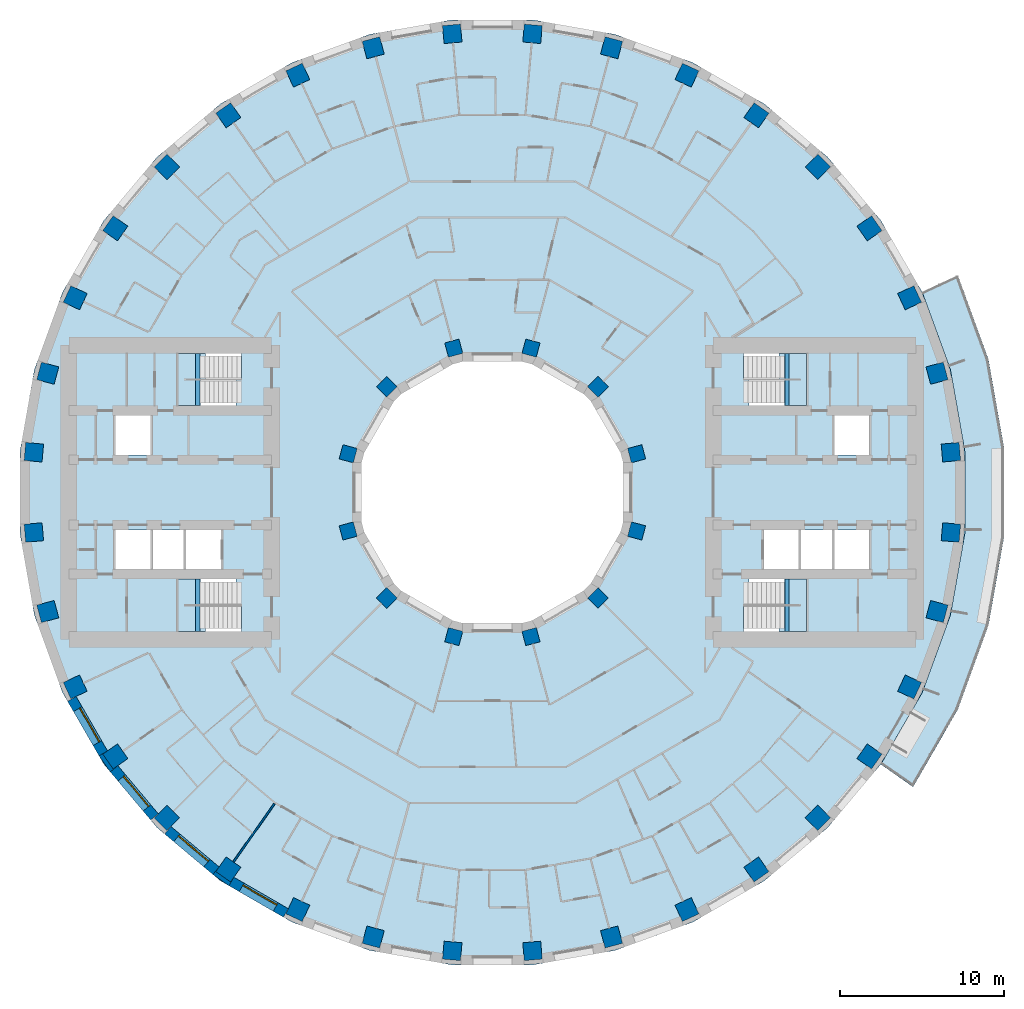
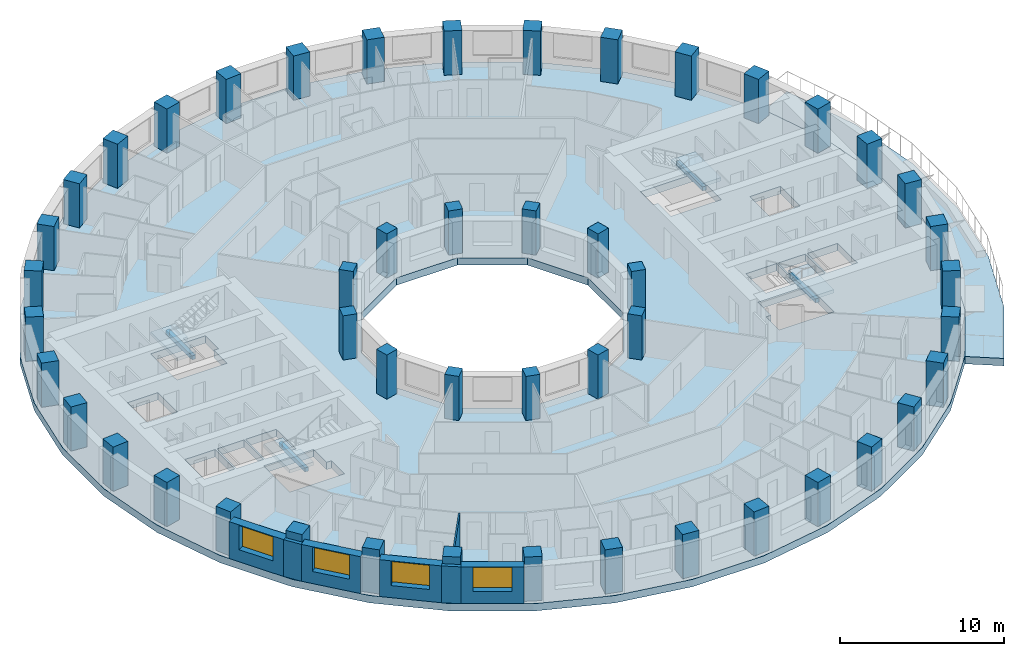
# One storey, part 1 of 14: 48 columns, 7 walls, 6 slabs, 4 beams, 4 windows, 4 openings, 4 elements without a shape of their own.
"""IFC4 building model written with IfcOpenShell, lengths in metres."""

from ifc_helpers import new_model, si_unit, direction, frame, frame_2d, origin, origin_2d, place, context, subcontext, project, spatial, polyline, rectangle, outline, extrude, material, layer, layer_set, material_profile, profile_set, type_object, element, fill, aggregate, save


model = new_model("IFC4")

# Units and contexts
model_context = context("Model", 3, precision=1e-05, world=origin(), true_north=direction((0.0, 1.0)))
body_context = subcontext(model_context, "Body", "Model", "MODEL_VIEW")
ifc_project = project(units=[si_unit("LENGTHUNIT", "METRE"), si_unit("AREAUNIT", "SQUARE_METRE"), si_unit("VOLUMEUNIT", "CUBIC_METRE"), si_unit("PLANEANGLEUNIT", "RADIAN"), si_unit("MASSUNIT", "GRAM", prefix="KILO")], contexts=[model_context])

# Site, building, storey
site_placement = place(None, origin())
site = spatial("IfcSite", under=ifc_project, at=site_placement, CompositionType="ELEMENT")
building_placement = place(site_placement, origin())
building = spatial("IfcBuilding", under=site, at=building_placement, Name="Saqina Gate Tower", CompositionType="ELEMENT")
storey_placement = place(building_placement, frame((0.0, 0.0, 49.39990234375)))
storey = spatial("IfcBuildingStorey", under=building, at=storey_placement, Name="L13", CompositionType="ELEMENT", Elevation=49.39990234375)

# Columns
ifc_material_1 = material(Name="Concrete C70/85", Category="concrete")
ifc_material_profile_1 = material_profile(ifc_material_1, rectangle(XDim=0.89990234375, YDim=0.89990234375, at=origin_2d()), Name="RC 900x900")
ifc_profile_set_1 = profile_set([ifc_material_profile_1], Name="Concrete C70/85")
column_type_1 = type_object("IfcColumnType", Name="STR-COL-IN-A", PredefinedType="COLUMN", material=ifc_profile_set_1)
for number, where, z_axis, x_axis, name in (
    (1, (8.821044921875, 2.363525390625, 0.0), (0.0, 0.0, 1.0), (0.965925826289, 0.258819045103, 0.0), "L13-ICL01"),
    (2, (6.45751953125, 6.45751953125, 0.0), (0.0, 0.0, 1.0), (0.707106781187, 0.707106781187, 0.0), "L13-ICL02"),
    (3, (2.363525390625, 8.821044921875, 0.0), (0.0, 0.0, 1.0), (0.258819045103, 0.965925826289, 0.0), "L13-ICL03"),
    (4, (-2.363525390625, 8.821044921875, 0.0), (0.0, 0.0, 1.0), (-0.258819045103, 0.965925826289, 0.0), "L13-ICL04"),
    (5, (-6.45751953125, 6.45751953125, 0.0), (0.0, 0.0, 1.0), (-0.707106781187, 0.707106781187, 0.0), "L13-ICL05"),
    (6, (-8.821044921875, 2.363525390625, 0.0), (0.0, 0.0, 1.0), (-0.965925826289, 0.258819045103, 0.0), "L13-ICL06"),
    (7, (-8.821044921875, -2.363525390625, 0.0), (0.0, 0.0, 1.0), (-0.965925826289, -0.258819045103, 0.0), "L13-ICL07"),
    (8, (-6.45751953125, -6.45751953125, 0.0), (0.0, 0.0, 1.0), (-0.707106781187, -0.707106781187, 0.0), "L13-ICL08"),
    (9, (-2.363525390625, -8.821044921875, 0.0), (0.0, 0.0, 1.0), (-0.258819045103, -0.965925826289, 0.0), "L13-ICL09"),
    (10, (2.363525390625, -8.821044921875, 0.0), (0.0, 0.0, 1.0), (0.258819045103, -0.965925826289, 0.0), "L13-ICL10"),
    (11, (6.45751953125, -6.45751953125, 0.0), (0.0, 0.0, 1.0), (0.707106781187, -0.707106781187, 0.0), "L13-ICL11"),
    (12, (8.821044921875, -2.363525390625, 0.0), (0.0, 0.0, 1.0), (0.965925826289, -0.258819045103, 0.0), "L13-ICL12"),
):
    element("IfcColumn", number, at=place(storey_placement, frame(where, z_axis=z_axis, x_axis=x_axis)), inside=storey, type_object=column_type_1, Name=name, PredefinedType="COLUMN", context=body_context, shape_type="SweptSolid", body=[
        extrude(rectangle(XDim=0.89990234375, YDim=0.89990234375, at=origin_2d()), origin(), (0.0, 0.0, 1.0), 3.300048828125),
    ])
ifc_material_2 = material(Name="Concrete C70/85", Category="concrete")
ifc_material_profile_2 = material_profile(ifc_material_2, rectangle(XDim=1.10009765625, YDim=1.10009765625, at=origin_2d()), Name="RC 1100x1100")
ifc_profile_set_2 = profile_set([ifc_material_profile_2], Name="Concrete C70/85")
column_type_2 = type_object("IfcColumnType", Name="STR-COL-OUT-A", PredefinedType="COLUMN", material=ifc_profile_set_2)
for number, where, z_axis, x_axis, name in (
    (13, (28.04296875, 2.453369140625, 0.0), (0.0, 0.0, 1.0), (0.996194698092, 0.087155742748, 0.0), "L13-COL01"),
    (14, (27.19091796875, 7.28564453125, 0.0), (0.0, 0.0, 1.0), (0.965925826289, 0.258819045103, 0.0), "L13-COL02"),
    (15, (25.512451171875, 11.896728515625, 0.0), (0.0, 0.0, 1.0), (0.906307787037, 0.422618261741, 0.0), "L13-COL03"),
    (16, (23.05908203125, 16.146240234375, 0.0), (0.0, 0.0, 1.0), (0.819152044289, 0.573576436351, 0.0), "L13-COL04"),
    (17, (19.905029296875, 19.905029296875, 0.0), (0.0, 0.0, 1.0), (0.707106781187, 0.707106781187, 0.0), "L13-COL05"),
    (18, (16.146240234375, 23.05908203125, 0.0), (0.0, 0.0, 1.0), (0.573576436351, 0.819152044289, 0.0), "L13-COL06"),
    (19, (11.896728515625, 25.512451171875, 0.0), (0.0, 0.0, 1.0), (0.422618261741, 0.906307787037, 0.0), "L13-COL07"),
    (20, (7.28564453125, 27.19091796875, 0.0), (0.0, 0.0, 1.0), (0.258819045103, 0.965925826289, 0.0), "L13-COL08"),
    (21, (2.453369140625, 28.04296875, 0.0), (0.0, 0.0, 1.0), (0.087155742748, 0.996194698092, 0.0), "L13-COL09"),
    (22, (-2.453369140625, 28.04296875, 0.0), (0.0, 0.0, 1.0), (-0.087155742748, 0.996194698092, 0.0), "L13-COL10"),
    (23, (-7.28564453125, 27.19091796875, 0.0), (0.0, 0.0, 1.0), (-0.258819045103, 0.965925826289, 0.0), "L13-COL11"),
    (24, (-11.896728515625, 25.512451171875, 0.0), (0.0, 0.0, 1.0), (-0.422618261741, 0.906307787037, 0.0), "L13-COL12"),
    (25, (-16.146240234375, 23.05908203125, 0.0), (0.0, 0.0, 1.0), (-0.573576436351, 0.819152044289, 0.0), "L13-COL13"),
    (26, (-19.905029296875, 19.905029296875, 0.0), (0.0, 0.0, 1.0), (-0.707106781187, 0.707106781187, 0.0), "L13-COL14"),
    (27, (-23.05908203125, 16.146240234375, 0.0), (0.0, 0.0, 1.0), (-0.819152044289, 0.573576436351, 0.0), "L13-COL15"),
    (28, (-25.512451171875, 11.896728515625, 0.0), (0.0, 0.0, 1.0), (-0.906307787037, 0.422618261741, 0.0), "L13-COL16"),
    (29, (-27.19091796875, 7.28564453125, 0.0), (0.0, 0.0, 1.0), (-0.965925826289, 0.258819045103, 0.0), "L13-COL17"),
    (30, (-28.04296875, 2.453369140625, 0.0), (0.0, 0.0, 1.0), (-0.996194698092, 0.087155742748, 0.0), "L13-COL18"),
    (31, (-28.04296875, -2.453369140625, 0.0), (0.0, 0.0, 1.0), (-0.996194698092, -0.087155742748, 0.0), "L13-COL19"),
    (32, (-27.19091796875, -7.28564453125, 0.0), (0.0, 0.0, 1.0), (-0.965925826289, -0.258819045103, 0.0), "L13-COL20"),
    (33, (-25.512451171875, -11.896728515625, 0.0), (0.0, 0.0, 1.0), (-0.906307787037, -0.422618261741, 0.0), "L13-COL21"),
    (34, (-23.05908203125, -16.146240234375, 0.0), (0.0, 0.0, 1.0), (-0.819152044289, -0.573576436351, 0.0), "L13-COL22"),
    (35, (-19.905029296875, -19.905029296875, 0.0), (0.0, 0.0, 1.0), (-0.707106781187, -0.707106781187, 0.0), "L13-COL23"),
    (36, (-16.146240234375, -23.05908203125, 0.0), (0.0, 0.0, 1.0), (-0.573576436351, -0.819152044289, 0.0), "L13-COL24"),
    (37, (-11.896728515625, -25.512451171875, 0.0), (0.0, 0.0, 1.0), (-0.422618261741, -0.906307787037, 0.0), "L13-COL25"),
    (38, (-7.28564453125, -27.19091796875, 0.0), (0.0, 0.0, 1.0), (-0.258819045103, -0.965925826289, 0.0), "L13-COL26"),
    (39, (-2.453369140625, -28.04296875, 0.0), (0.0, 0.0, 1.0), (-0.087155742748, -0.996194698092, 0.0), "L13-COL27"),
    (40, (2.453369140625, -28.04296875, 0.0), (0.0, 0.0, 1.0), (0.087155742748, -0.996194698092, 0.0), "L13-COL28"),
    (41, (7.28564453125, -27.19091796875, 0.0), (0.0, 0.0, 1.0), (0.258819045103, -0.965925826289, 0.0), "L13-COL29"),
    (42, (11.896728515625, -25.512451171875, 0.0), (0.0, 0.0, 1.0), (0.422618261741, -0.906307787037, 0.0), "L13-COL30"),
    (43, (16.146240234375, -23.05908203125, 0.0), (0.0, 0.0, 1.0), (0.573576436351, -0.819152044289, 0.0), "L13-COL31"),
    (44, (19.905029296875, -19.905029296875, 0.0), (0.0, 0.0, 1.0), (0.707106781187, -0.707106781187, 0.0), "L13-COL32"),
    (45, (23.05908203125, -16.146240234375, 0.0), (0.0, 0.0, 1.0), (0.819152044289, -0.573576436351, 0.0), "L13-COL33"),
    (46, (25.512451171875, -11.896728515625, 0.0), (0.0, 0.0, 1.0), (0.906307787037, -0.422618261741, 0.0), "L13-COL34"),
    (47, (27.19091796875, -7.28564453125, 0.0), (0.0, 0.0, 1.0), (0.965925826289, -0.258819045103, 0.0), "L13-COL35"),
    (48, (28.04296875, -2.453369140625, 0.0), (0.0, 0.0, 1.0), (0.996194698092, -0.087155742748, 0.0), "L13-COL36"),
):
    element("IfcColumn", number, at=place(storey_placement, frame(where, z_axis=z_axis, x_axis=x_axis)), inside=storey, type_object=column_type_2, Name=name, PredefinedType="COLUMN", context=body_context, shape_type="SweptSolid", body=[
        extrude(rectangle(XDim=1.10009765625, YDim=1.10009765625, at=origin_2d()), origin(), (0.0, 0.0, 1.0), 3.300048828125),
    ])

# Beams
ifc_material_3 = material(Name="Concrete C40/50", Category="concrete")
ifc_material_profile_3 = material_profile(ifc_material_3, rectangle(XDim=0.25, YDim=0.300048828125, at=origin_2d()), Name="STAIR LANDING BEAM")
ifc_profile_set_3 = profile_set([ifc_material_profile_3], Name="Concrete C40/50")
beam_type = type_object("IfcBeamType", Name="STAIR LANDING BEAM", PredefinedType="BEAM", material=ifc_profile_set_3)
for number, where, z_axis, x_axis, name in (
    (49, (18.02001953125, 5.300048828125, 1.25), (0.0, 1.0, 0.0), (-1.0, 0.0, 0.0), "EXIT STAIR 1 LANDING BEAM"),
    (50, (18.02001953125, -8.5, 1.25), (0.0, 1.0, 0.0), (-1.0, 0.0, 0.0), "EXIT STAIR 2 LANDING BEAM"),
    (51, (-18.02001953125, 5.300048828125, 1.25), (0.0, 1.0, 0.0), (-1.0, 0.0, 0.0), "EXIT STAIR 3 LANDING BEAM"),
    (52, (-18.02001953125, -8.5, 1.25), (0.0, 1.0, 0.0), (-1.0, 0.0, 0.0), "EXIT STAIR 4 LANDING BEAM"),
):
    element("IfcBeam", number, at=place(storey_placement, frame(where, z_axis=z_axis, x_axis=x_axis)), inside=storey, type_object=beam_type, Name=name, PredefinedType="BEAM", context=body_context, shape_type="SweptSolid", body=[
        extrude(rectangle(XDim=0.25, YDim=0.300048828125, at=origin_2d()), origin(), (0.0, 0.0, 1.0), 3.199951171875),
    ])

# Stair, slab
ifc_material_4 = material(Name="Concrete C40/50", Category="concrete")
stair_type = type_object("IfcStairType", Name="EXIT STAIR", PredefinedType="HALF_TURN_STAIR", material=ifc_material_4)
stair_1_placement = place(storey_placement, origin())
stair_1 = element("IfcStair", 53, at=stair_1_placement, inside=storey, type_object=stair_type, Name="EXIT STAIR 1", PredefinedType="HALF_TURN_STAIR")
ifc_material_5 = material(Name="Concrete C40/50", Category="concrete")
ifc_layer_1 = layer(ifc_material_5, 0.25)
ifc_layer_set_1 = layer_set([ifc_layer_1], Name="Concrete C40/50")
slab_type_1 = type_object("IfcSlabType", Name="EXIT STAIR LANDING", PredefinedType="LANDING", material=ifc_layer_set_1)
slab_1_placement = place(storey_placement, frame((0.0, 0.0, 1.400146484375)))
slab_1 = element("IfcSlab", 54, at=slab_1_placement, type_object=slab_type_1, Name="EXIT STAIR 1 LANDING 1", PredefinedType="LANDING", context=body_context, shape_type="SweptSolid", body=[
    extrude(outline(polyline([(19.219970703125, 8.5), (19.219970703125, 5.300048828125), (17.864990234375, 5.300048828125), (17.864990234375, 6.89990234375), (17.534423828125, 6.89990234375), (17.534423828125, 8.5), (17.864990234375, 8.5), (17.8701171875, 8.5), (19.219970703125, 8.5)])), origin(), (0.0, 0.0, 1.0), 0.25),
])
aggregate(stair_1, [slab_1])

stair_2_placement = place(storey_placement, origin())
stair_2 = element("IfcStair", 55, at=stair_2_placement, inside=storey, type_object=stair_type, Name="EXIT STAIR 2", PredefinedType="HALF_TURN_STAIR")
slab_2_placement = place(storey_placement, frame((0.0, 0.0, 1.400146484375)))
slab_2 = element("IfcSlab", 56, at=slab_2_placement, type_object=slab_type_1, Name="EXIT STAIR 2 LANDING 1", PredefinedType="LANDING", context=body_context, shape_type="SweptSolid", body=[
    extrude(outline(polyline([(17.534423828125, -8.5), (17.534423828125, -6.89990234375), (17.864990234375, -6.89990234375), (17.864990234375, -5.300048828125), (19.219970703125, -5.300048828125), (19.219970703125, -8.5), (17.8701171875, -8.5), (17.864990234375, -8.5), (17.534423828125, -8.5)])), origin(), (0.0, 0.0, 1.0), 0.25),
])
aggregate(stair_2, [slab_2])

stair_3_placement = place(storey_placement, origin())
stair_3 = element("IfcStair", 57, at=stair_3_placement, inside=storey, type_object=stair_type, Name="EXIT STAIR 3", PredefinedType="HALF_TURN_STAIR")
slab_3_placement = place(storey_placement, frame((0.0, 0.0, 1.400146484375)))
slab_3 = element("IfcSlab", 58, at=slab_3_placement, type_object=slab_type_1, Name="EXIT STAIR 3 LANDING 1", PredefinedType="LANDING", context=body_context, shape_type="SweptSolid", body=[
    extrude(outline(polyline([(-17.864990234375, 5.300048828125), (-19.219970703125, 5.300048828125), (-19.219970703125, 8.5), (-17.8701171875, 8.5), (-17.864990234375, 8.5), (-17.534423828125, 8.5), (-17.534423828125, 6.89990234375), (-17.864990234375, 6.89990234375), (-17.864990234375, 5.300048828125)])), origin(), (0.0, 0.0, 1.0), 0.25),
])
aggregate(stair_3, [slab_3])

stair_4_placement = place(storey_placement, origin())
stair_4 = element("IfcStair", 59, at=stair_4_placement, inside=storey, type_object=stair_type, Name="EXIT STAIR 4", PredefinedType="HALF_TURN_STAIR")
slab_4_placement = place(storey_placement, frame((0.0, 0.0, 1.400146484375)))
slab_4 = element("IfcSlab", 60, at=slab_4_placement, type_object=slab_type_1, Name="EXIT STAIR 4 LANDING 1", PredefinedType="LANDING", context=body_context, shape_type="SweptSolid", body=[
    extrude(outline(polyline([(-17.534423828125, -6.89990234375), (-17.534423828125, -8.5), (-17.864990234375, -8.5), (-17.8701171875, -8.5), (-19.219970703125, -8.5), (-19.219970703125, -5.300048828125), (-17.864990234375, -5.300048828125), (-17.864990234375, -6.89990234375), (-17.534423828125, -6.89990234375)])), origin(), (0.0, 0.0, 1.0), 0.25),
])
aggregate(stair_4, [slab_4])

# Slabs
ifc_material_6 = material(Name="Concrete C40/50", Category="concrete")
ifc_layer_2 = layer(ifc_material_6, 0.550048828125)
ifc_layer_set_2 = layer_set([ifc_layer_2], Name="Concrete C40/50")
slab_type_2 = type_object("IfcSlabType", Name="STR-POST-TENSIONED FLAT PLATE FLOOR-550", PredefinedType="FLOOR", material=ifc_layer_set_2)
slab_5_placement = place(storey_placement, frame((0.0, 0.0, -0.5498046875)))
element("IfcSlab", 61, at=slab_5_placement, inside=storey, type_object=slab_type_2, Name="L13-SLB01", PredefinedType="FLOOR", context=body_context, shape_type="SweptSolid", body=[
    extrude(outline(polyline([(28.011962890625, -7.505859375), (28.8896484375, -2.527587890625), (28.8896484375, 2.527587890625), (28.011962890625, 7.505859375), (26.282958984375, 12.255859375), (23.75537109375, 16.6337890625), (20.506103515625, 20.506103515625), (16.6337890625, 23.75537109375), (12.255859375, 26.282958984375), (7.505859375, 28.011962890625), (2.527587890625, 28.8896484375), (-2.527587890625, 28.8896484375), (-7.505859375, 28.011962890625), (-12.255859375, 26.282958984375), (-16.6337890625, 23.75537109375), (-20.506103515625, 20.506103515625), (-23.75537109375, 16.6337890625), (-26.282958984375, 12.255859375), (-28.011962890625, 7.505859375), (-28.8896484375, 2.527587890625), (-28.8896484375, -2.527587890625), (-28.011962890625, -7.505859375), (-26.282958984375, -12.255859375), (-23.75537109375, -16.6337890625), (-20.506103515625, -20.506103515625), (-16.6337890625, -23.75537109375), (-12.255859375, -26.282958984375), (-7.505859375, -28.011962890625), (-2.527587890625, -28.8896484375), (2.527587890625, -28.8896484375), (7.505859375, -28.011962890625), (12.255859375, -26.282958984375), (16.6337890625, -23.75537109375), (20.506103515625, -20.506103515625), (23.75537109375, -16.6337890625), (26.282958984375, -12.255859375), (28.011962890625, -7.505859375)]), holes=[polyline([(2.1435546875, 8.0), (5.8564453125, 5.8564453125), (8.0, 2.1435546875), (8.0, -2.1435546875), (5.8564453125, -5.8564453125), (2.1435546875, -8.0), (-2.1435546875, -8.0), (-5.8564453125, -5.8564453125), (-8.0, -2.1435546875), (-8.0, 2.1435546875), (-5.8564453125, 5.8564453125), (-2.1435546875, 8.0), (2.1435546875, 8.0)]), polyline([(-19.219970703125, -8.5), (-19.219970703125, -6.89990234375), (-19.219970703125, -5.300048828125), (-15.685546875, -5.300048828125), (-15.685546875, -6.89990234375), (-15.35498046875, -6.89990234375), (-15.35498046875, -8.5), (-19.219970703125, -8.5)]), polyline([(-20.89990234375, -2.300048828125), (-20.89990234375, -4.699951171875), (-23.06005859375, -4.699951171875), (-23.06005859375, -2.300048828125), (-20.89990234375, -2.300048828125)]), polyline([(-18.8701171875, -2.300048828125), (-18.8701171875, -4.699951171875), (-20.780029296875, -4.699951171875), (-20.780029296875, -2.300048828125), (-18.8701171875, -2.300048828125)]), polyline([(-16.590087890625, -2.300048828125), (-16.590087890625, -4.699951171875), (-18.75, -4.699951171875), (-18.75, -2.300048828125), (-16.590087890625, -2.300048828125)]), polyline([(-20.89990234375, 4.699951171875), (-20.89990234375, 2.300048828125), (-23.06005859375, 2.300048828125), (-23.06005859375, 4.699951171875), (-20.89990234375, 4.699951171875)]), polyline([(-19.219970703125, 6.89990234375), (-19.219970703125, 8.5), (-15.35498046875, 8.5), (-15.35498046875, 6.89990234375), (-15.685546875, 6.89990234375), (-15.685546875, 5.300048828125), (-19.219970703125, 5.300048828125), (-19.219970703125, 6.89990234375)]), polyline([(15.35498046875, -6.89990234375), (15.685546875, -6.89990234375), (15.685546875, -5.300048828125), (19.219970703125, -5.300048828125), (19.219970703125, -6.89990234375), (19.219970703125, -8.5), (15.35498046875, -8.5), (15.35498046875, -6.89990234375)]), polyline([(18.75, -2.300048828125), (18.75, -4.699951171875), (16.590087890625, -4.699951171875), (16.590087890625, -2.300048828125), (18.75, -2.300048828125)]), polyline([(20.780029296875, -2.300048828125), (20.780029296875, -4.699951171875), (18.8701171875, -4.699951171875), (18.8701171875, -2.300048828125), (20.780029296875, -2.300048828125)]), polyline([(23.06005859375, -2.300048828125), (23.06005859375, -4.699951171875), (20.89990234375, -4.699951171875), (20.89990234375, -2.300048828125), (23.06005859375, -2.300048828125)]), polyline([(23.06005859375, 4.699951171875), (23.06005859375, 2.300048828125), (20.89990234375, 2.300048828125), (20.89990234375, 4.699951171875), (23.06005859375, 4.699951171875)]), polyline([(15.685546875, 6.89990234375), (15.35498046875, 6.89990234375), (15.35498046875, 8.5), (19.219970703125, 8.5), (19.219970703125, 6.89990234375), (19.219970703125, 5.300048828125), (15.685546875, 5.300048828125), (15.685546875, 6.89990234375)])]), origin(), (0.0, 0.0, 1.0), 0.5498046875),
])
ifc_material_7 = material(Name="Concrete C40/50", Category="concrete")
ifc_layer_3 = layer(ifc_material_7, 0.550048828125)
ifc_layer_set_3 = layer_set([ifc_layer_3], Name="Concrete C40/50")
slab_type_3 = type_object("IfcSlabType", Name="STR-POST-TENSIONED FLAT PLATE TERRACE-550", PredefinedType="FLOOR", material=ifc_layer_set_3)
slab_6_placement = place(storey_placement, frame((0.0, 0.0, -0.5498046875)))
element("IfcSlab", 62, at=slab_6_placement, inside=storey, type_object=slab_type_3, Name="L13-TRS01", PredefinedType="FLOOR", context=body_context, shape_type="SweptSolid", body=[
    extrude(outline(polyline([(23.75537109375, -16.6337890625), (26.282958984375, -12.255859375), (28.011962890625, -7.505859375), (28.8896484375, -2.527587890625), (28.8896484375, 2.527587890625), (28.011962890625, 7.505859375), (26.282958984375, 12.255859375), (28.46630859375, 13.274169921875), (30.3388671875, 8.12939453125), (31.28955078125, 2.737548828125), (31.28955078125, -2.737548828125), (30.3388671875, -8.12939453125), (28.46630859375, -13.274169921875), (25.72900390625, -18.015625), (23.75537109375, -16.6337890625)])), origin(), (0.0, 0.0, 1.0), 0.5498046875),
])

# Walls
ifc_material_8 = material(Name="Brick masonry (red)", Category="masonry")
wall_type_1 = type_object("IfcWallType", Name="BRICK PIER COPING RED", PredefinedType="SOLIDWALL", material=ifc_material_8)
wall_1_placement = place(storey_placement, origin())
element("IfcWall", 63, at=wall_1_placement, inside=storey, type_object=wall_type_1, Name="Pier cap L13 column 22", PredefinedType="SOLIDWALL", context=body_context, shape_type="SweptSolid", body=[
    extrude(outline(polyline([(-24.0576171875, -16.110107421875), (-23.36669921875, -17.096923828125), (-22.9072265625, -16.711181640625), (-23.194091796875, -16.912109375), (-23.8251953125, -16.010986328125), (-23.5380859375, -15.81005859375), (-24.0576171875, -16.110107421875)])), origin(), (0.0, 0.0, 1.0), 2.75),
])
wall_2_placement = place(storey_placement, origin())
element("IfcWall", 64, at=wall_2_placement, inside=storey, type_object=wall_type_1, Name="Pier cap L13 column 24", PredefinedType="SOLIDWALL", context=body_context, shape_type="SweptSolid", body=[
    extrude(outline(polyline([(-17.096923828125, -23.36669921875), (-16.110107421875, -24.0576171875), (-15.81005859375, -23.5380859375), (-16.010986328125, -23.8251953125), (-16.912109375, -23.194091796875), (-16.711181640625, -22.9072265625), (-17.096923828125, -23.36669921875)])), origin(), (0.0, 0.0, 1.0), 2.75),
])

# Wall, opening, window
ifc_material_9 = material(Name="Brick masonry (red)", Category="masonry")
ifc_layer_4 = layer(ifc_material_9, 0.60009765625)
ifc_layer_set_4 = layer_set([ifc_layer_4], Name="FW-BRICK-RED")
wall_type_2 = type_object("IfcWallType", Name="FW-BRICK-RED", PredefinedType="SOLIDWALL", material=ifc_layer_set_4)
wall_3_placement = place(storey_placement, frame((-25.720703125, -12.629638671875, 0.0), z_axis=(0.0, 0.0, 1.0), x_axis=(0.499989888488, -0.86603124159, 0.0)))
wall_3 = element("IfcWall", 65, at=wall_3_placement, inside=storey, type_object=wall_type_2, Name="Facade wall L13 facet 21", PredefinedType="SOLIDWALL", context=body_context, shape_type="SweptSolid", body=[
    extrude(rectangle(XDim=3.845703125, YDim=0.60009765625, at=frame_2d((1.9228515625, 0.0))), origin(), (0.0, 0.0, 1.0), 2.75),
])
opening_1_placement = place(wall_3_placement, frame((0.722900390625, 0.0, 0.89990234375)))
opening_1 = element("IfcOpeningElement", 66, at=opening_1_placement, cuts=wall_3, Name="Opening G03-W14", PredefinedType="OPENING", context=body_context, shape_type="SweptSolid", body=[
    extrude(rectangle(XDim=2.39990234375, YDim=1.800048828125, at=frame_2d((1.199951171875, 0.89990234375))), frame((0.0, 0.31201171875, 0.0), z_axis=(0.0, -1.0, 0.0), x_axis=(1.0, 0.0, 0.0)), (0.0, 0.0, 1.0), 0.6240234375),
])
ifc_material_10 = material(Name="Aluminium glazing", Category="aluminium")
window_type = type_object("IfcWindowType", Name="WN-A", PartitioningType="SINGLE_PANEL", PredefinedType="WINDOW", material=ifc_material_10)
window_1_placement = place(opening_1_placement, origin())
window_1 = element("IfcWindow", 67, at=window_1_placement, inside=storey, type_object=window_type, Name="Window L13 facet 21", OverallHeight=1.800048828125, OverallWidth=2.39990234375, PartitioningType="SINGLE_PANEL", PredefinedType="WINDOW", context=body_context, shape_type="SweptSolid", body=[
    extrude(rectangle(XDim=2.39990234375, YDim=1.800048828125, at=frame_2d((1.199951171875, 0.89990234375))), frame((0.0, 0.179931640625, 0.0), z_axis=(0.0, -1.0, 0.0), x_axis=(1.0, 0.0, 0.0)), (0.0, 0.0, 1.0), 0.06005859375),
])
fill(opening_1, window_1)

wall_4_placement = place(storey_placement, frame((-23.136962890625, -16.904052734375, 0.0), z_axis=(0.0, 0.0, 1.0), x_axis=(0.642809392687, -0.766026164483, 0.0)))
wall_4 = element("IfcWall", 68, at=wall_4_placement, inside=storey, type_object=wall_type_2, Name="Facade wall L13 facet 22", PredefinedType="SOLIDWALL", context=body_context, shape_type="SweptSolid", body=[
    extrude(rectangle(XDim=3.845947265625, YDim=0.60009765625, at=frame_2d((1.9228515625, 0.0))), origin(), (0.0, 0.0, 1.0), 2.75),
])
opening_2_placement = place(wall_4_placement, frame((0.722900390625, 0.0, 0.89990234375)))
opening_2 = element("IfcOpeningElement", 69, at=opening_2_placement, cuts=wall_4, Name="Opening G03-W15", PredefinedType="OPENING", context=body_context, shape_type="SweptSolid", body=[
    extrude(rectangle(XDim=2.39990234375, YDim=1.800048828125, at=frame_2d((1.199951171875, 0.89990234375))), frame((0.0, 0.31201171875, 0.0), z_axis=(0.0, -1.0, 0.0), x_axis=(1.0, 0.0, 0.0)), (0.0, 0.0, 1.0), 0.6240234375),
])
window_2_placement = place(opening_2_placement, origin())
window_2 = element("IfcWindow", 70, at=window_2_placement, inside=storey, type_object=window_type, Name="Window L13 facet 22", OverallHeight=1.800048828125, OverallWidth=2.39990234375, PartitioningType="SINGLE_PANEL", PredefinedType="WINDOW", context=body_context, shape_type="SweptSolid", body=[
    extrude(rectangle(XDim=2.39990234375, YDim=1.800048828125, at=frame_2d((1.199951171875, 0.89990234375))), frame((0.0, 0.179931640625, 0.0), z_axis=(0.0, -1.0, 0.0), x_axis=(1.0, 0.0, 0.0)), (0.0, 0.0, 1.0), 0.06005859375),
])
fill(opening_2, window_2)

wall_5_placement = place(storey_placement, frame((-19.85009765625, -20.664794921875, 0.0), z_axis=(0.0, 0.0, 1.0), x_axis=(0.766026164483, -0.642809392687, 0.0)))
wall_5 = element("IfcWall", 71, at=wall_5_placement, inside=storey, type_object=wall_type_2, Name="Facade wall L13 facet 23", PredefinedType="SOLIDWALL", context=body_context, shape_type="SweptSolid", body=[
    extrude(rectangle(XDim=3.845947265625, YDim=0.60009765625, at=frame_2d((1.9228515625, 0.0))), origin(), (0.0, 0.0, 1.0), 2.75),
])
opening_3_placement = place(wall_5_placement, frame((0.722900390625, 0.0, 0.89990234375)))
opening_3 = element("IfcOpeningElement", 72, at=opening_3_placement, cuts=wall_5, Name="Opening G03-W16", PredefinedType="OPENING", context=body_context, shape_type="SweptSolid", body=[
    extrude(rectangle(XDim=2.39990234375, YDim=1.800048828125, at=frame_2d((1.199951171875, 0.89990234375))), frame((0.0, 0.31201171875, 0.0), z_axis=(0.0, -1.0, 0.0), x_axis=(1.0, 0.0, 0.0)), (0.0, 0.0, 1.0), 0.6240234375),
])
window_3_placement = place(opening_3_placement, origin())
window_3 = element("IfcWindow", 73, at=window_3_placement, inside=storey, type_object=window_type, Name="Window L13 facet 23", OverallHeight=1.800048828125, OverallWidth=2.39990234375, PartitioningType="SINGLE_PANEL", PredefinedType="WINDOW", context=body_context, shape_type="SweptSolid", body=[
    extrude(rectangle(XDim=2.39990234375, YDim=1.800048828125, at=frame_2d((1.199951171875, 0.89990234375))), frame((0.0, 0.179931640625, 0.0), z_axis=(0.0, -1.0, 0.0), x_axis=(1.0, 0.0, 0.0)), (0.0, 0.0, 1.0), 0.06005859375),
])
fill(opening_3, window_3)

wall_6_placement = place(storey_placement, frame((-15.960205078125, -23.7978515625, 0.0), z_axis=(0.0, 0.0, 1.0), x_axis=(0.86603124159, -0.499989888488, 0.0)))
wall_6 = element("IfcWall", 74, at=wall_6_placement, inside=storey, type_object=wall_type_2, Name="Facade wall L13 facet 24", PredefinedType="SOLIDWALL", context=body_context, shape_type="SweptSolid", body=[
    extrude(rectangle(XDim=3.845703125, YDim=0.60009765625, at=frame_2d((1.9228515625, 0.0))), origin(), (0.0, 0.0, 1.0), 2.75),
])
opening_4_placement = place(wall_6_placement, frame((0.722900390625, 0.0, 0.89990234375)))
opening_4 = element("IfcOpeningElement", 75, at=opening_4_placement, cuts=wall_6, Name="Opening G03-W17", PredefinedType="OPENING", context=body_context, shape_type="SweptSolid", body=[
    extrude(rectangle(XDim=2.39990234375, YDim=1.800048828125, at=frame_2d((1.199951171875, 0.89990234375))), frame((0.0, 0.31201171875, 0.0), z_axis=(0.0, -1.0, 0.0), x_axis=(1.0, 0.0, 0.0)), (0.0, 0.0, 1.0), 0.6240234375),
])
window_4_placement = place(opening_4_placement, origin())
window_4 = element("IfcWindow", 76, at=window_4_placement, inside=storey, type_object=window_type, Name="Window L13 facet 24", OverallHeight=1.800048828125, OverallWidth=2.39990234375, PartitioningType="SINGLE_PANEL", PredefinedType="WINDOW", context=body_context, shape_type="SweptSolid", body=[
    extrude(rectangle(XDim=2.39990234375, YDim=1.800048828125, at=frame_2d((1.199951171875, 0.89990234375))), frame((0.0, 0.179931640625, 0.0), z_axis=(0.0, -1.0, 0.0), x_axis=(1.0, 0.0, 0.0)), (0.0, 0.0, 1.0), 0.06005859375),
])
fill(opening_4, window_4)

# Wall
ifc_material_11 = material(Name="Gypsum board on steel studs, 100 mm", Category="steel")
ifc_layer_5 = layer(ifc_material_11, 0.10009765625)
ifc_layer_set_5 = layer_set([ifc_layer_5], Name="PARTITION 100")
wall_type_3 = type_object("IfcWallType", Name="PARTITION 100", PredefinedType="PARTITIONING", material=ifc_layer_set_5)
wall_7_placement = place(storey_placement, frame((-15.829345703125, -22.597412109375, 0.0), z_axis=(0.0, 0.0, 1.0), x_axis=(0.574588030597, 0.818442786696, 0.0)))
element("IfcWall", 77, at=wall_7_placement, inside=storey, type_object=wall_type_3, Name="PARTITION PW3-106", PredefinedType="PARTITIONING", context=body_context, shape_type="SweptSolid", body=[
    extrude(rectangle(XDim=4.35009765625, YDim=0.10009765625, at=frame_2d((2.175048828125, 0.0))), origin(), (0.0, 0.0, 1.0), 2.75),
])

save(model, "model.ifc")
